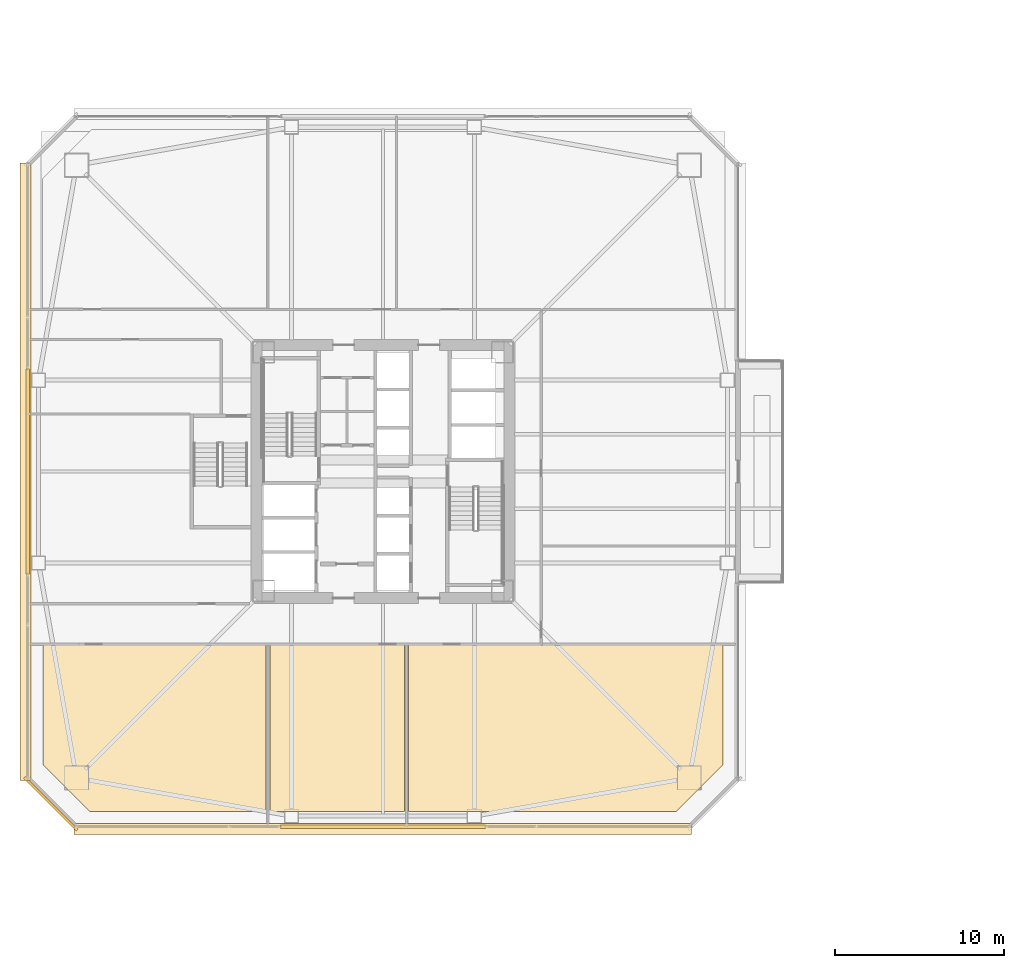
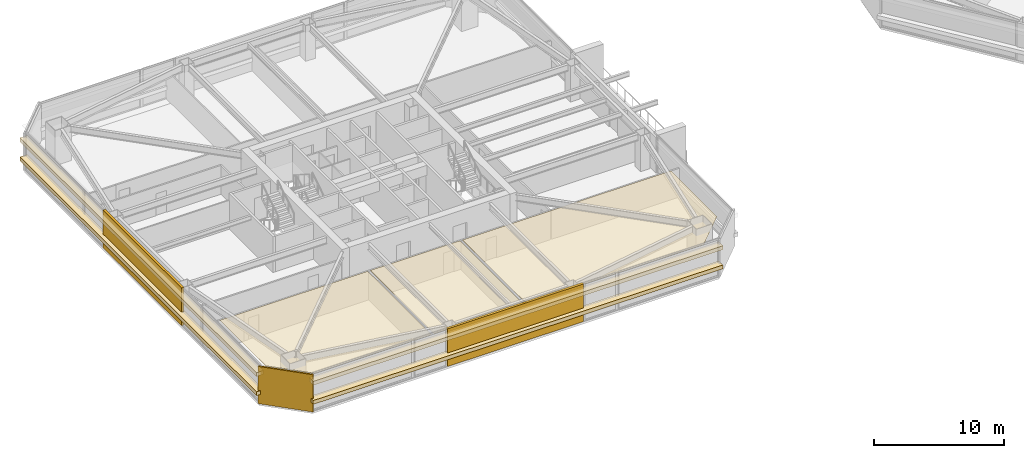
# One storey, part 39 of 44: 10 coverings.
"""IFC4 building model written with IfcOpenShell, lengths in metres."""

from ifc_helpers import new_model, si_unit, direction, frame, origin, origin_2d, place, context, subcontext, project, spatial, polyline, rectangle, outline, extrude, material, layer, layer_set, type_object, element, save


model = new_model("IFC4")

# Units and contexts
model_context = context("Model", 3, precision=1e-05, world=origin(), true_north=direction((0.0, 1.0)))
body_context = subcontext(model_context, "Body", "Model", "MODEL_VIEW")
ifc_project = project(units=[si_unit("LENGTHUNIT", "METRE"), si_unit("AREAUNIT", "SQUARE_METRE"), si_unit("VOLUMEUNIT", "CUBIC_METRE"), si_unit("PLANEANGLEUNIT", "RADIAN"), si_unit("MASSUNIT", "GRAM", prefix="KILO")], contexts=[model_context])

# Site, building, storey
site_placement = place(None, origin())
site = spatial("IfcSite", under=ifc_project, at=site_placement, CompositionType="ELEMENT")
building_placement = place(site_placement, origin())
building = spatial("IfcBuilding", under=site, at=building_placement, Name="Tashvorn Skyway Center", CompositionType="ELEMENT")
storey_placement = place(building_placement, frame((0.0, 0.0, 102.699951171875)))
storey = spatial("IfcBuildingStorey", under=building, at=storey_placement, Name="L27", CompositionType="ELEMENT", Elevation=102.699951171875)

# Coverings
ifc_material_1 = material(Name="Precast concrete C40/50", Category="concrete")
ifc_layer_1 = layer(ifc_material_1, 0.199951171875)
ifc_layer_set_1 = layer_set([ifc_layer_1], Name="Precast concrete C40/50")
covering_type_1 = type_object("IfcCoveringType", Name="COV-BRACE-CLAD", PredefinedType="CLADDING", material=ifc_layer_set_1)
for number, where, z_axis, x_axis, name in (
    (1, (42.0, 11.02001953125, 0.0), (0.0, 0.0, 1.0), (-1.0, 0.0, 0.0), "Tower 1 L27 South Unitised Curtain Wall Mega-Brace Cladding Band 1"),
    (2, (21.02001953125, 32.0, 0.0), (0.0, 0.0, 1.0), (0.0, 1.0, 0.0), "Tower 1 L27 West Unitised Curtain Wall Mega-Brace Cladding Band 1"),
):
    element("IfcCovering", number, at=place(storey_placement, frame(where, z_axis=z_axis, x_axis=x_axis)), inside=storey, type_object=covering_type_1, Name=name, PredefinedType="CLADDING", context=body_context, shape_type="SweptSolid", body=[
        extrude(rectangle(XDim=12.1201171875, YDim=0.199951171875, at=origin_2d()), origin(), (0.0, 0.0, 1.0), 3.550048828125),
    ])
ifc_material_2 = material(Name="Mineral-fibre acoustic ceiling tile on suspended grid")
ifc_layer_2 = layer(ifc_material_2, 0.02001953125)
ifc_layer_set_2 = layer_set([ifc_layer_2], Name="Mineral-fibre acoustic ceiling tile on suspended grid")
covering_type_2 = type_object("IfcCoveringType", Name="COV-CEIL-20", PredefinedType="CEILING", material=ifc_layer_set_2)
covering_1_placement = place(storey_placement, frame((0.0, 0.0, 2.68310546875)))
element("IfcCovering", 3, at=covering_1_placement, inside=storey, type_object=covering_type_2, Name="Tower 1 L27 Gallery Showroom Acoustic Ceiling", PredefinedType="CEILING", context=body_context, shape_type="SweptSolid", body=[
    extrude(outline(polyline([(21.919921875, 21.760009765625), (35.080078125, 21.760009765625), (35.080078125, 11.919921875), (24.679931640625, 11.919921875), (21.919921875, 14.679931640625), (21.919921875, 21.760009765625)])), origin(), (0.0, 0.0, 1.0), 0.02001953125),
])
covering_2_placement = place(storey_placement, frame((0.0, 0.0, 2.68310546875)))
element("IfcCovering", 4, at=covering_2_placement, inside=storey, type_object=covering_type_2, Name="Tower 1 L27 Corporate Office Acoustic Ceiling", PredefinedType="CEILING", context=body_context, shape_type="SweptSolid", body=[
    extrude(outline(polyline([(35.320068359375, 21.760009765625), (43.280029296875, 21.760009765625), (43.280029296875, 11.919921875), (35.320068359375, 11.919921875), (35.320068359375, 21.760009765625)])), origin(), (0.0, 0.0, 1.0), 0.02001953125),
])
covering_3_placement = place(storey_placement, frame((0.0, 0.0, 2.68310546875)))
element("IfcCovering", 5, at=covering_3_placement, inside=storey, type_object=covering_type_2, Name="Tower 1 L27 Corporate Office Acoustic Ceiling", PredefinedType="CEILING", context=body_context, shape_type="SweptSolid", body=[
    extrude(outline(polyline([(43.52001953125, 11.919921875), (43.52001953125, 21.760009765625), (62.080078125, 21.760009765625), (62.080078125, 14.679931640625), (59.320068359375, 11.919921875), (43.52001953125, 11.919921875)])), origin(), (0.0, 0.0, 1.0), 0.02001953125),
])
ifc_material_3 = material(Name="Perforated ceramic-coated bronze aluminium solar screen", Category="aluminium")
ifc_layer_3 = layer(ifc_material_3, 0.85009765625)
ifc_layer_set_3 = layer_set([ifc_layer_3], Name="Perforated ceramic-coated bronze aluminium solar screen")
covering_type_3 = type_object("IfcCoveringType", Name="COV-SOLAR-BAND", PredefinedType="CLADDING", material=ifc_layer_set_3)
for number, where, z_axis, x_axis, name in (
    (6, (42.0, 10.8798828125, 0.919921875), (0.0, 0.0, 1.0), (-1.0, 0.0, 0.0), "L27 Perforated Ceramic-Metal Solar Screen Louvre Band South 1"),
    (7, (42.0, 10.8798828125, 2.72021484375), (0.0, 0.0, 1.0), (-1.0, 0.0, 0.0), "L27 Perforated Ceramic-Metal Solar Screen Louvre Band South 2"),
    (8, (20.8798828125, 32.0, 0.919921875), (0.0, 0.0, 1.0), (0.0, 1.0, 0.0), "L27 Perforated Ceramic-Metal Solar Screen Louvre Band West 1"),
    (9, (20.8798828125, 32.0, 2.72021484375), (0.0, 0.0, 1.0), (0.0, 1.0, 0.0), "L27 Perforated Ceramic-Metal Solar Screen Louvre Band West 2"),
):
    element("IfcCovering", number, at=place(storey_placement, frame(where, z_axis=z_axis, x_axis=x_axis)), inside=storey, type_object=covering_type_3, Name=name, PredefinedType="CLADDING", context=body_context, shape_type="SweptSolid", body=[
        extrude(rectangle(XDim=36.47998046875, YDim=0.639892578125, at=origin_2d()), origin(), (0.0, 0.0, 1.0), 0.360107421875),
    ])
ifc_layer_4 = layer(ifc_material_1, 0.35009765625)
ifc_layer_set_4 = layer_set([ifc_layer_4], Name="Precast concrete C40/50")
covering_type_4 = type_object("IfcCoveringType", Name="COV-STONE-TRIM", PredefinedType="CLADDING", material=ifc_layer_set_4)
covering_4_placement = place(storey_placement, frame((22.3798828125, 12.3798828125, 0.02001953125), z_axis=(0.0, 0.0, 1.0), x_axis=(-0.707106781187, 0.707106781187, 0.0)))
element("IfcCovering", 10, at=covering_4_placement, inside=storey, type_object=covering_type_4, Name="Tower 1 L27 SW Mojave Limestone Corner Quoin", PredefinedType="CLADDING", context=body_context, shape_type="SweptSolid", body=[
    extrude(rectangle(XDim=4.402587890625, YDim=0.139892578125, at=origin_2d()), origin(), (0.0, 0.0, 1.0), 3.510009765625),
])

save(model, "model.ifc")
